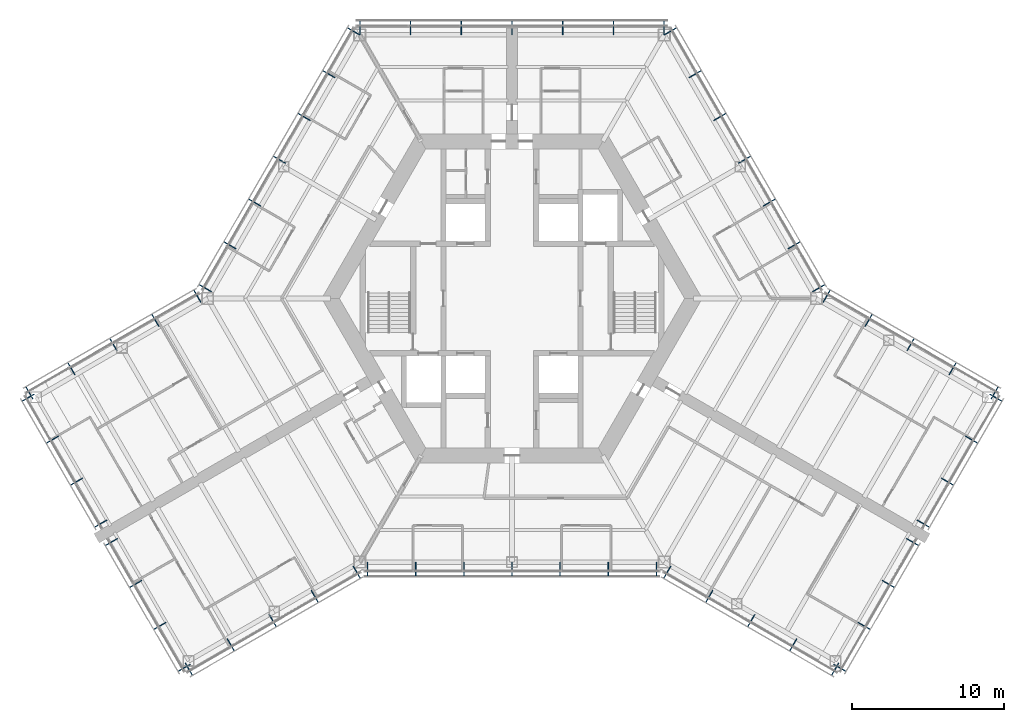
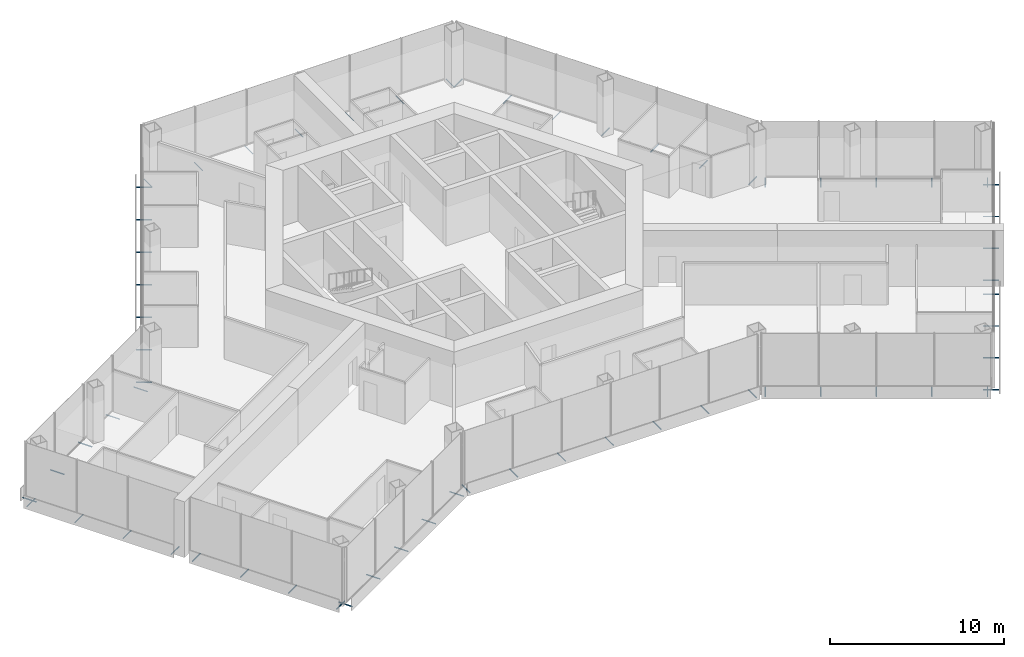
# One storey, part 16 of 18: 64 discrete accessories.
"""IFC4 building model written with IfcOpenShell, lengths in metres."""

from ifc_helpers import new_model, si_unit, direction, frame, origin, origin_2d, place, context, subcontext, project, spatial, hollow_circle, extrude, material, material_profile, profile_set, type_object, element, save


model = new_model("IFC4")

# Units and contexts
model_context = context("Model", 3, precision=1e-05, world=origin(), true_north=direction((0.0, 1.0)))
body_context = subcontext(model_context, "Body", "Model", "MODEL_VIEW")
ifc_project = project(units=[si_unit("LENGTHUNIT", "METRE"), si_unit("AREAUNIT", "SQUARE_METRE"), si_unit("VOLUMEUNIT", "CUBIC_METRE"), si_unit("PLANEANGLEUNIT", "RADIAN"), si_unit("MASSUNIT", "GRAM", prefix="KILO")], contexts=[model_context])

# Site, building, storey
site_placement = place(None, origin())
site = spatial("IfcSite", under=ifc_project, at=site_placement, CompositionType="ELEMENT")
building_placement = place(site_placement, origin())
building = spatial("IfcBuilding", under=site, at=building_placement, Name="Kasaneha Research Tower", CompositionType="ELEMENT")
storey_placement = place(building_placement, frame((0.0, 0.0, 183.800048828125)))
storey = spatial("IfcBuildingStorey", under=building, at=storey_placement, Name="L46", CompositionType="ELEMENT", Elevation=183.800048828125)

# Discrete accessories
ifc_material = material(Name="Steel STK400", Category="steel")
ifc_material_profile = material_profile(ifc_material, hollow_circle(Radius=0.0380859375, WallThickness=0.00390625, at=origin_2d()), Name="CHS-76.3x4.0")
ifc_profile_set = profile_set([ifc_material_profile], Name="Steel STK400")
discrete_accessory_type = type_object("IfcDiscreteAccessoryType", Name="Screen bracket CHS-76.3x4.0", PredefinedType="BRACKET", material=ifc_profile_set)
for number, where, z_axis, x_axis, name in (
    (1, (-9.4892578125, -17.320556640625, -0.300048828125), (0.0, -1.0, 0.0), (1.0, 0.0, 0.0), "Screen bracket 1"),
    (2, (-6.326171875, -17.320556640625, -0.300048828125), (0.0, -1.0, 0.0), (1.0, 0.0, 0.0), "Screen bracket 2"),
    (3, (-3.1630859375, -17.320556640625, -0.300048828125), (0.0, -1.0, 0.0), (1.0, 0.0, 0.0), "Screen bracket 3"),
    (4, (0.0, -17.320556640625, -0.300048828125), (0.0, -1.0, 0.0), (1.0, 0.0, 0.0), "Screen bracket 4"),
    (5, (3.1630859375, -17.320556640625, -0.300048828125), (0.0, -1.0, 0.0), (1.0, 0.0, 0.0), "Screen bracket 5"),
    (6, (6.326171875, -17.320556640625, -0.300048828125), (0.0, -1.0, 0.0), (1.0, 0.0, 0.0), "Screen bracket 6"),
    (7, (9.4892578125, -17.320556640625, -0.300048828125), (0.0, -1.0, 0.0), (1.0, 0.0, 0.0), "Screen bracket 7"),
    (8, (10.4423828125, -17.575927734375, -0.300048828125), (-0.500021113727, -0.866013213425, 0.0), (0.866013213425, -0.500021113727, 0.0), "Screen bracket 1"),
):
    element("IfcDiscreteAccessory", number, at=place(storey_placement, frame(where, z_axis=z_axis, x_axis=x_axis)), inside=storey, type_object=discrete_accessory_type, Name=name, PredefinedType="BRACKET", context=body_context, shape_type="SweptSolid", body=[
        extrude(hollow_circle(Radius=0.0380859375, WallThickness=0.00390625, at=origin_2d()), origin(), (0.0, 0.0, 1.0), 0.919921875),
    ])
discrete_accessory_1_placement = place(storey_placement, frame((13.200439453125, -19.168212890625, -0.300048828125), z_axis=(-0.499906209203, -0.866079547155, 0.0), x_axis=(0.866079547155, -0.499906209203, 0.0)))
element("IfcDiscreteAccessory", 9, at=discrete_accessory_1_placement, inside=storey, type_object=discrete_accessory_type, Name="Screen bracket 2", PredefinedType="BRACKET", context=body_context, shape_type="SweptSolid", body=[
    extrude(hollow_circle(Radius=0.0380859375, WallThickness=0.00390625, at=origin_2d()), origin(), (0.0, 0.0, 1.0), 0.920166015625),
])
discrete_accessory_2_placement = place(storey_placement, frame((15.95849609375, -20.7607421875, -0.300048828125), z_axis=(-0.500021113727, -0.866013213425, 0.0), x_axis=(0.866013213425, -0.500021113727, 0.0)))
element("IfcDiscreteAccessory", 10, at=discrete_accessory_2_placement, inside=storey, type_object=discrete_accessory_type, Name="Screen bracket 3", PredefinedType="BRACKET", context=body_context, shape_type="SweptSolid", body=[
    extrude(hollow_circle(Radius=0.0380859375, WallThickness=0.00390625, at=origin_2d()), origin(), (0.0, 0.0, 1.0), 0.919921875),
])
discrete_accessory_3_placement = place(storey_placement, frame((18.716796875, -22.35302734375, -0.300048828125), z_axis=(-0.500105201737, -0.865964657013, 0.0), x_axis=(0.865964657013, -0.500105201737, 0.0)))
element("IfcDiscreteAccessory", 11, at=discrete_accessory_3_placement, inside=storey, type_object=discrete_accessory_type, Name="Screen bracket 4", PredefinedType="BRACKET", context=body_context, shape_type="SweptSolid", body=[
    extrude(hollow_circle(Radius=0.0380859375, WallThickness=0.00390625, at=origin_2d()), origin(), (0.0, 0.0, 1.0), 0.920166015625),
])
discrete_accessory_4_placement = place(storey_placement, frame((21.474853515625, -23.945556640625, -0.300048828125), z_axis=(-0.500021113727, -0.866013213425, 0.0), x_axis=(0.866013213425, -0.500021113727, 0.0)))
element("IfcDiscreteAccessory", 12, at=discrete_accessory_4_placement, inside=storey, type_object=discrete_accessory_type, Name="Screen bracket 5", PredefinedType="BRACKET", context=body_context, shape_type="SweptSolid", body=[
    extrude(hollow_circle(Radius=0.0380859375, WallThickness=0.00390625, at=origin_2d()), origin(), (0.0, 0.0, 1.0), 0.919921875),
])
discrete_accessory_5_placement = place(storey_placement, frame((21.13330078125, -24.037109375, -0.300048828125), z_axis=(0.866079547155, -0.499906209203, 0.0), x_axis=(0.499906209203, 0.866079547155, 0.0)))
element("IfcDiscreteAccessory", 13, at=discrete_accessory_5_placement, inside=storey, type_object=discrete_accessory_type, Name="Screen bracket 1", PredefinedType="BRACKET", context=body_context, shape_type="SweptSolid", body=[
    extrude(hollow_circle(Radius=0.0380859375, WallThickness=0.00390625, at=origin_2d()), origin(), (0.0, 0.0, 1.0), 0.920166015625),
])
discrete_accessory_6_placement = place(storey_placement, frame((22.72509765625, -21.2802734375, -0.300048828125), z_axis=(0.866013213425, -0.500021113727, 0.0), x_axis=(0.500021113727, 0.866013213425, 0.0)))
element("IfcDiscreteAccessory", 14, at=discrete_accessory_6_placement, inside=storey, type_object=discrete_accessory_type, Name="Screen bracket 2", PredefinedType="BRACKET", context=body_context, shape_type="SweptSolid", body=[
    extrude(hollow_circle(Radius=0.0380859375, WallThickness=0.00390625, at=origin_2d()), origin(), (0.0, 0.0, 1.0), 0.919921875),
])
discrete_accessory_7_placement = place(storey_placement, frame((24.316650390625, -18.5234375, -0.300048828125), z_axis=(0.866079547155, -0.499906209203, 0.0), x_axis=(0.499906209203, 0.866079547155, 0.0)))
element("IfcDiscreteAccessory", 15, at=discrete_accessory_7_placement, inside=storey, type_object=discrete_accessory_type, Name="Screen bracket 3", PredefinedType="BRACKET", context=body_context, shape_type="SweptSolid", body=[
    extrude(hollow_circle(Radius=0.0380859375, WallThickness=0.00390625, at=origin_2d()), origin(), (0.0, 0.0, 1.0), 0.920166015625),
])
for number, where, z_axis, x_axis, name in (
    (16, (25.908447265625, -15.766357421875, -0.300048828125), (0.865898279276, -0.500220121494, 0.0), (0.500220121494, 0.865898279276, 0.0), "Screen bracket 4"),
    (17, (26.6083984375, -14.553955078125, -0.300048828125), (0.866013213425, -0.500021113727, 0.0), (0.500021113727, 0.866013213425, 0.0), "Screen bracket 1"),
):
    element("IfcDiscreteAccessory", number, at=place(storey_placement, frame(where, z_axis=z_axis, x_axis=x_axis)), inside=storey, type_object=discrete_accessory_type, Name=name, PredefinedType="BRACKET", context=body_context, shape_type="SweptSolid", body=[
        extrude(hollow_circle(Radius=0.0380859375, WallThickness=0.00390625, at=origin_2d()), origin(), (0.0, 0.0, 1.0), 0.919921875),
    ])
discrete_accessory_8_placement = place(storey_placement, frame((28.199951171875, -11.797119140625, -0.300048828125), z_axis=(0.866079547155, -0.499906209203, 0.0), x_axis=(0.499906209203, 0.866079547155, 0.0)))
element("IfcDiscreteAccessory", 18, at=discrete_accessory_8_placement, inside=storey, type_object=discrete_accessory_type, Name="Screen bracket 2", PredefinedType="BRACKET", context=body_context, shape_type="SweptSolid", body=[
    extrude(hollow_circle(Radius=0.0380859375, WallThickness=0.00390625, at=origin_2d()), origin(), (0.0, 0.0, 1.0), 0.920166015625),
])
discrete_accessory_9_placement = place(storey_placement, frame((29.791748046875, -9.040283203125, -0.300048828125), z_axis=(0.866013213425, -0.500021113727, 0.0), x_axis=(0.500021113727, 0.866013213425, 0.0)))
element("IfcDiscreteAccessory", 19, at=discrete_accessory_9_placement, inside=storey, type_object=discrete_accessory_type, Name="Screen bracket 3", PredefinedType="BRACKET", context=body_context, shape_type="SweptSolid", body=[
    extrude(hollow_circle(Radius=0.0380859375, WallThickness=0.00390625, at=origin_2d()), origin(), (0.0, 0.0, 1.0), 0.919921875),
])
discrete_accessory_10_placement = place(storey_placement, frame((31.38330078125, -6.283447265625, -0.300048828125), z_axis=(0.866079547155, -0.499906209203, 0.0), x_axis=(0.499906209203, 0.866079547155, 0.0)))
element("IfcDiscreteAccessory", 20, at=discrete_accessory_10_placement, inside=storey, type_object=discrete_accessory_type, Name="Screen bracket 4", PredefinedType="BRACKET", context=body_context, shape_type="SweptSolid", body=[
    extrude(hollow_circle(Radius=0.0380859375, WallThickness=0.00390625, at=origin_2d()), origin(), (0.0, 0.0, 1.0), 0.920166015625),
])
discrete_accessory_11_placement = place(storey_placement, frame((31.474853515625, -6.625, -0.300048828125), z_axis=(0.500021113727, 0.866013213425, 0.0), x_axis=(-0.866013213425, 0.500021113727, 0.0)))
element("IfcDiscreteAccessory", 21, at=discrete_accessory_11_placement, inside=storey, type_object=discrete_accessory_type, Name="Screen bracket 1", PredefinedType="BRACKET", context=body_context, shape_type="SweptSolid", body=[
    extrude(hollow_circle(Radius=0.0380859375, WallThickness=0.00390625, at=origin_2d()), origin(), (0.0, 0.0, 1.0), 0.919921875),
])
discrete_accessory_12_placement = place(storey_placement, frame((28.716796875, -5.03271484375, -0.300048828125), z_axis=(0.499906209203, 0.866079547155, 0.0), x_axis=(-0.866079547155, 0.499906209203, 0.0)))
element("IfcDiscreteAccessory", 22, at=discrete_accessory_12_placement, inside=storey, type_object=discrete_accessory_type, Name="Screen bracket 2", PredefinedType="BRACKET", context=body_context, shape_type="SweptSolid", body=[
    extrude(hollow_circle(Radius=0.0380859375, WallThickness=0.00390625, at=origin_2d()), origin(), (0.0, 0.0, 1.0), 0.920166015625),
])
discrete_accessory_13_placement = place(storey_placement, frame((25.95849609375, -3.440185546875, -0.300048828125), z_axis=(0.500220121494, 0.865898279276, 0.0), x_axis=(-0.865898279276, 0.500220121494, 0.0)))
element("IfcDiscreteAccessory", 23, at=discrete_accessory_13_placement, inside=storey, type_object=discrete_accessory_type, Name="Screen bracket 3", PredefinedType="BRACKET", context=body_context, shape_type="SweptSolid", body=[
    extrude(hollow_circle(Radius=0.0380859375, WallThickness=0.00390625, at=origin_2d()), origin(), (0.0, 0.0, 1.0), 0.919921875),
])
discrete_accessory_14_placement = place(storey_placement, frame((23.200439453125, -1.847900390625, -0.300048828125), z_axis=(0.499906209203, 0.866079547155, 0.0), x_axis=(-0.866079547155, 0.499906209203, 0.0)))
element("IfcDiscreteAccessory", 24, at=discrete_accessory_14_placement, inside=storey, type_object=discrete_accessory_type, Name="Screen bracket 4", PredefinedType="BRACKET", context=body_context, shape_type="SweptSolid", body=[
    extrude(hollow_circle(Radius=0.0380859375, WallThickness=0.00390625, at=origin_2d()), origin(), (0.0, 0.0, 1.0), 0.920166015625),
])
for number, where, z_axis, x_axis, name in (
    (25, (20.4423828125, -0.25537109375, -0.300048828125), (0.500021113727, 0.866013213425, 0.0), (-0.866013213425, 0.500021113727, 0.0), "Screen bracket 5"),
    (26, (19.74462890625, 0.4423828125, -0.300048828125), (0.866013213425, 0.500021113727, 0.0), (-0.500021113727, 0.866013213425, 0.0), "Screen bracket 1"),
    (27, (18.120849609375, 3.2548828125, -0.300048828125), (0.866013213425, 0.500021113727, 0.0), (-0.500021113727, 0.866013213425, 0.0), "Screen bracket 2"),
    (28, (16.4970703125, 6.0673828125, -0.300048828125), (0.866013213425, 0.500021113727, 0.0), (-0.500021113727, 0.866013213425, 0.0), "Screen bracket 3"),
    (29, (14.873291015625, 8.8798828125, -0.300048828125), (0.866013213425, 0.500021113727, 0.0), (-0.500021113727, 0.866013213425, 0.0), "Screen bracket 4"),
    (30, (13.24951171875, 11.6923828125, -0.300048828125), (0.866013213425, 0.500021113727, 0.0), (-0.500021113727, 0.866013213425, 0.0), "Screen bracket 5"),
):
    element("IfcDiscreteAccessory", number, at=place(storey_placement, frame(where, z_axis=z_axis, x_axis=x_axis)), inside=storey, type_object=discrete_accessory_type, Name=name, PredefinedType="BRACKET", context=body_context, shape_type="SweptSolid", body=[
        extrude(hollow_circle(Radius=0.0380859375, WallThickness=0.00390625, at=origin_2d()), origin(), (0.0, 0.0, 1.0), 0.919921875),
    ])
for number, where, z_axis, x_axis, name in (
    (31, (11.62548828125, 14.5048828125, -0.300048828125), (0.866079547155, 0.499906209203, 0.0), (-0.499906209203, 0.866079547155, 0.0), "Screen bracket 6"),
    (32, (10.001708984375, 17.3173828125, -0.300048828125), (0.866079547155, 0.499906209203, 0.0), (-0.499906209203, 0.866079547155, 0.0), "Screen bracket 7"),
):
    element("IfcDiscreteAccessory", number, at=place(storey_placement, frame(where, z_axis=z_axis, x_axis=x_axis)), inside=storey, type_object=discrete_accessory_type, Name=name, PredefinedType="BRACKET", context=body_context, shape_type="SweptSolid", body=[
        extrude(hollow_circle(Radius=0.0380859375, WallThickness=0.00390625, at=origin_2d()), origin(), (0.0, 0.0, 1.0), 0.920166015625),
    ])
for number, where, z_axis, x_axis, name in (
    (33, (9.996337890625, 17.320556640625, -0.300048828125), (0.0, 1.0, 0.0), (-1.0, 0.0, 0.0), "Screen bracket 1"),
    (34, (6.664306640625, 17.320556640625, -0.300048828125), (0.0, 1.0, 0.0), (-1.0, 0.0, 0.0), "Screen bracket 2"),
    (35, (3.33203125, 17.320556640625, -0.300048828125), (0.0, 1.0, 0.0), (-1.0, 0.0, 0.0), "Screen bracket 3"),
    (36, (0.0, 17.320556640625, -0.300048828125), (0.0, 1.0, 0.0), (-1.0, 0.0, 0.0), "Screen bracket 4"),
    (37, (-3.33203125, 17.320556640625, -0.300048828125), (0.0, 1.0, 0.0), (-1.0, 0.0, 0.0), "Screen bracket 5"),
    (38, (-6.664306640625, 17.320556640625, -0.300048828125), (0.0, 1.0, 0.0), (-1.0, 0.0, 0.0), "Screen bracket 6"),
    (39, (-9.996337890625, 17.320556640625, -0.300048828125), (0.0, 1.0, 0.0), (-1.0, 0.0, 0.0), "Screen bracket 7"),
):
    element("IfcDiscreteAccessory", number, at=place(storey_placement, frame(where, z_axis=z_axis, x_axis=x_axis)), inside=storey, type_object=discrete_accessory_type, Name=name, PredefinedType="BRACKET", context=body_context, shape_type="SweptSolid", body=[
        extrude(hollow_circle(Radius=0.0380859375, WallThickness=0.00390625, at=origin_2d()), origin(), (0.0, 0.0, 1.0), 0.919921875),
    ])
for number, where, z_axis, x_axis, name in (
    (40, (-10.001708984375, 17.3173828125, -0.300048828125), (-0.866079547155, 0.499906209203, 0.0), (-0.499906209203, -0.866079547155, 0.0), "Screen bracket 1"),
    (41, (-11.62548828125, 14.5048828125, -0.300048828125), (-0.866079547155, 0.499906209203, 0.0), (-0.499906209203, -0.866079547155, 0.0), "Screen bracket 2"),
):
    element("IfcDiscreteAccessory", number, at=place(storey_placement, frame(where, z_axis=z_axis, x_axis=x_axis)), inside=storey, type_object=discrete_accessory_type, Name=name, PredefinedType="BRACKET", context=body_context, shape_type="SweptSolid", body=[
        extrude(hollow_circle(Radius=0.0380859375, WallThickness=0.00390625, at=origin_2d()), origin(), (0.0, 0.0, 1.0), 0.920166015625),
    ])
for number, where, z_axis, x_axis, name in (
    (42, (-13.24951171875, 11.6923828125, -0.300048828125), (-0.866013213425, 0.500021113727, 0.0), (-0.500021113727, -0.866013213425, 0.0), "Screen bracket 3"),
    (43, (-14.873291015625, 8.8798828125, -0.300048828125), (-0.866013213425, 0.500021113727, 0.0), (-0.500021113727, -0.866013213425, 0.0), "Screen bracket 4"),
    (44, (-16.4970703125, 6.0673828125, -0.300048828125), (-0.866013213425, 0.500021113727, 0.0), (-0.500021113727, -0.866013213425, 0.0), "Screen bracket 5"),
    (45, (-18.120849609375, 3.2548828125, -0.300048828125), (-0.866013213425, 0.500021113727, 0.0), (-0.500021113727, -0.866013213425, 0.0), "Screen bracket 6"),
    (46, (-19.74462890625, 0.4423828125, -0.300048828125), (-0.866013213425, 0.500021113727, 0.0), (-0.500021113727, -0.866013213425, 0.0), "Screen bracket 7"),
    (47, (-20.4423828125, -0.25537109375, -0.300048828125), (-0.500021113727, 0.866013213425, 0.0), (-0.866013213425, -0.500021113727, 0.0), "Screen bracket 1"),
):
    element("IfcDiscreteAccessory", number, at=place(storey_placement, frame(where, z_axis=z_axis, x_axis=x_axis)), inside=storey, type_object=discrete_accessory_type, Name=name, PredefinedType="BRACKET", context=body_context, shape_type="SweptSolid", body=[
        extrude(hollow_circle(Radius=0.0380859375, WallThickness=0.00390625, at=origin_2d()), origin(), (0.0, 0.0, 1.0), 0.919921875),
    ])
discrete_accessory_15_placement = place(storey_placement, frame((-23.200439453125, -1.847900390625, -0.300048828125), z_axis=(-0.499906209203, 0.866079547155, 0.0), x_axis=(-0.866079547155, -0.499906209203, 0.0)))
element("IfcDiscreteAccessory", 48, at=discrete_accessory_15_placement, inside=storey, type_object=discrete_accessory_type, Name="Screen bracket 2", PredefinedType="BRACKET", context=body_context, shape_type="SweptSolid", body=[
    extrude(hollow_circle(Radius=0.0380859375, WallThickness=0.00390625, at=origin_2d()), origin(), (0.0, 0.0, 1.0), 0.920166015625),
])
discrete_accessory_16_placement = place(storey_placement, frame((-25.95849609375, -3.440185546875, -0.300048828125), z_axis=(-0.500220121494, 0.865898279276, 0.0), x_axis=(-0.865898279276, -0.500220121494, 0.0)))
element("IfcDiscreteAccessory", 49, at=discrete_accessory_16_placement, inside=storey, type_object=discrete_accessory_type, Name="Screen bracket 3", PredefinedType="BRACKET", context=body_context, shape_type="SweptSolid", body=[
    extrude(hollow_circle(Radius=0.0380859375, WallThickness=0.00390625, at=origin_2d()), origin(), (0.0, 0.0, 1.0), 0.919921875),
])
discrete_accessory_17_placement = place(storey_placement, frame((-28.716796875, -5.03271484375, -0.300048828125), z_axis=(-0.499906209203, 0.866079547155, 0.0), x_axis=(-0.866079547155, -0.499906209203, 0.0)))
element("IfcDiscreteAccessory", 50, at=discrete_accessory_17_placement, inside=storey, type_object=discrete_accessory_type, Name="Screen bracket 4", PredefinedType="BRACKET", context=body_context, shape_type="SweptSolid", body=[
    extrude(hollow_circle(Radius=0.0380859375, WallThickness=0.00390625, at=origin_2d()), origin(), (0.0, 0.0, 1.0), 0.920166015625),
])
discrete_accessory_18_placement = place(storey_placement, frame((-31.474853515625, -6.625, -0.300048828125), z_axis=(-0.500021113727, 0.866013213425, 0.0), x_axis=(-0.866013213425, -0.500021113727, 0.0)))
element("IfcDiscreteAccessory", 51, at=discrete_accessory_18_placement, inside=storey, type_object=discrete_accessory_type, Name="Screen bracket 5", PredefinedType="BRACKET", context=body_context, shape_type="SweptSolid", body=[
    extrude(hollow_circle(Radius=0.0380859375, WallThickness=0.00390625, at=origin_2d()), origin(), (0.0, 0.0, 1.0), 0.919921875),
])
discrete_accessory_19_placement = place(storey_placement, frame((-31.38330078125, -6.283447265625, -0.300048828125), z_axis=(-0.866079547155, -0.499906209203, 0.0), x_axis=(0.499906209203, -0.866079547155, 0.0)))
element("IfcDiscreteAccessory", 52, at=discrete_accessory_19_placement, inside=storey, type_object=discrete_accessory_type, Name="Screen bracket 1", PredefinedType="BRACKET", context=body_context, shape_type="SweptSolid", body=[
    extrude(hollow_circle(Radius=0.0380859375, WallThickness=0.00390625, at=origin_2d()), origin(), (0.0, 0.0, 1.0), 0.920166015625),
])
discrete_accessory_20_placement = place(storey_placement, frame((-29.791748046875, -9.040283203125, -0.300048828125), z_axis=(-0.866013213425, -0.500021113727, 0.0), x_axis=(0.500021113727, -0.866013213425, 0.0)))
element("IfcDiscreteAccessory", 53, at=discrete_accessory_20_placement, inside=storey, type_object=discrete_accessory_type, Name="Screen bracket 2", PredefinedType="BRACKET", context=body_context, shape_type="SweptSolid", body=[
    extrude(hollow_circle(Radius=0.0380859375, WallThickness=0.00390625, at=origin_2d()), origin(), (0.0, 0.0, 1.0), 0.919921875),
])
discrete_accessory_21_placement = place(storey_placement, frame((-28.199951171875, -11.797119140625, -0.300048828125), z_axis=(-0.866079547155, -0.499906209203, 0.0), x_axis=(0.499906209203, -0.866079547155, 0.0)))
element("IfcDiscreteAccessory", 54, at=discrete_accessory_21_placement, inside=storey, type_object=discrete_accessory_type, Name="Screen bracket 3", PredefinedType="BRACKET", context=body_context, shape_type="SweptSolid", body=[
    extrude(hollow_circle(Radius=0.0380859375, WallThickness=0.00390625, at=origin_2d()), origin(), (0.0, 0.0, 1.0), 0.920166015625),
])
for number, where, z_axis, x_axis, name in (
    (55, (-26.6083984375, -14.553955078125, -0.300048828125), (-0.866013213425, -0.500021113727, 0.0), (0.500021113727, -0.866013213425, 0.0), "Screen bracket 4"),
    (56, (-25.908447265625, -15.766357421875, -0.300048828125), (-0.865898279276, -0.500220121494, 0.0), (0.500220121494, -0.865898279276, 0.0), "Screen bracket 1"),
):
    element("IfcDiscreteAccessory", number, at=place(storey_placement, frame(where, z_axis=z_axis, x_axis=x_axis)), inside=storey, type_object=discrete_accessory_type, Name=name, PredefinedType="BRACKET", context=body_context, shape_type="SweptSolid", body=[
        extrude(hollow_circle(Radius=0.0380859375, WallThickness=0.00390625, at=origin_2d()), origin(), (0.0, 0.0, 1.0), 0.919921875),
    ])
discrete_accessory_22_placement = place(storey_placement, frame((-24.316650390625, -18.5234375, -0.300048828125), z_axis=(-0.866079547155, -0.499906209203, 0.0), x_axis=(0.499906209203, -0.866079547155, 0.0)))
element("IfcDiscreteAccessory", 57, at=discrete_accessory_22_placement, inside=storey, type_object=discrete_accessory_type, Name="Screen bracket 2", PredefinedType="BRACKET", context=body_context, shape_type="SweptSolid", body=[
    extrude(hollow_circle(Radius=0.0380859375, WallThickness=0.00390625, at=origin_2d()), origin(), (0.0, 0.0, 1.0), 0.920166015625),
])
discrete_accessory_23_placement = place(storey_placement, frame((-22.72509765625, -21.2802734375, -0.300048828125), z_axis=(-0.866013213425, -0.500021113727, 0.0), x_axis=(0.500021113727, -0.866013213425, 0.0)))
element("IfcDiscreteAccessory", 58, at=discrete_accessory_23_placement, inside=storey, type_object=discrete_accessory_type, Name="Screen bracket 3", PredefinedType="BRACKET", context=body_context, shape_type="SweptSolid", body=[
    extrude(hollow_circle(Radius=0.0380859375, WallThickness=0.00390625, at=origin_2d()), origin(), (0.0, 0.0, 1.0), 0.919921875),
])
discrete_accessory_24_placement = place(storey_placement, frame((-21.13330078125, -24.037109375, -0.300048828125), z_axis=(-0.866079547155, -0.499906209203, 0.0), x_axis=(0.499906209203, -0.866079547155, 0.0)))
element("IfcDiscreteAccessory", 59, at=discrete_accessory_24_placement, inside=storey, type_object=discrete_accessory_type, Name="Screen bracket 4", PredefinedType="BRACKET", context=body_context, shape_type="SweptSolid", body=[
    extrude(hollow_circle(Radius=0.0380859375, WallThickness=0.00390625, at=origin_2d()), origin(), (0.0, 0.0, 1.0), 0.920166015625),
])
discrete_accessory_25_placement = place(storey_placement, frame((-21.474853515625, -23.945556640625, -0.300048828125), z_axis=(0.500021113727, -0.866013213425, 0.0), x_axis=(0.866013213425, 0.500021113727, 0.0)))
element("IfcDiscreteAccessory", 60, at=discrete_accessory_25_placement, inside=storey, type_object=discrete_accessory_type, Name="Screen bracket 1", PredefinedType="BRACKET", context=body_context, shape_type="SweptSolid", body=[
    extrude(hollow_circle(Radius=0.0380859375, WallThickness=0.00390625, at=origin_2d()), origin(), (0.0, 0.0, 1.0), 0.919921875),
])
discrete_accessory_26_placement = place(storey_placement, frame((-18.716796875, -22.35302734375, -0.300048828125), z_axis=(0.500105201737, -0.865964657013, 0.0), x_axis=(0.865964657013, 0.500105201737, 0.0)))
element("IfcDiscreteAccessory", 61, at=discrete_accessory_26_placement, inside=storey, type_object=discrete_accessory_type, Name="Screen bracket 2", PredefinedType="BRACKET", context=body_context, shape_type="SweptSolid", body=[
    extrude(hollow_circle(Radius=0.0380859375, WallThickness=0.00390625, at=origin_2d()), origin(), (0.0, 0.0, 1.0), 0.920166015625),
])
discrete_accessory_27_placement = place(storey_placement, frame((-15.95849609375, -20.7607421875, -0.300048828125), z_axis=(0.500021113727, -0.866013213425, 0.0), x_axis=(0.866013213425, 0.500021113727, 0.0)))
element("IfcDiscreteAccessory", 62, at=discrete_accessory_27_placement, inside=storey, type_object=discrete_accessory_type, Name="Screen bracket 3", PredefinedType="BRACKET", context=body_context, shape_type="SweptSolid", body=[
    extrude(hollow_circle(Radius=0.0380859375, WallThickness=0.00390625, at=origin_2d()), origin(), (0.0, 0.0, 1.0), 0.919921875),
])
discrete_accessory_28_placement = place(storey_placement, frame((-13.200439453125, -19.168212890625, -0.300048828125), z_axis=(0.499906209203, -0.866079547155, 0.0), x_axis=(0.866079547155, 0.499906209203, 0.0)))
element("IfcDiscreteAccessory", 63, at=discrete_accessory_28_placement, inside=storey, type_object=discrete_accessory_type, Name="Screen bracket 4", PredefinedType="BRACKET", context=body_context, shape_type="SweptSolid", body=[
    extrude(hollow_circle(Radius=0.0380859375, WallThickness=0.00390625, at=origin_2d()), origin(), (0.0, 0.0, 1.0), 0.920166015625),
])
discrete_accessory_29_placement = place(storey_placement, frame((-10.4423828125, -17.575927734375, -0.300048828125), z_axis=(0.500021113727, -0.866013213425, 0.0), x_axis=(0.866013213425, 0.500021113727, 0.0)))
element("IfcDiscreteAccessory", 64, at=discrete_accessory_29_placement, inside=storey, type_object=discrete_accessory_type, Name="Screen bracket 5", PredefinedType="BRACKET", context=body_context, shape_type="SweptSolid", body=[
    extrude(hollow_circle(Radius=0.0380859375, WallThickness=0.00390625, at=origin_2d()), origin(), (0.0, 0.0, 1.0), 0.919921875),
])

save(model, "model.ifc")
